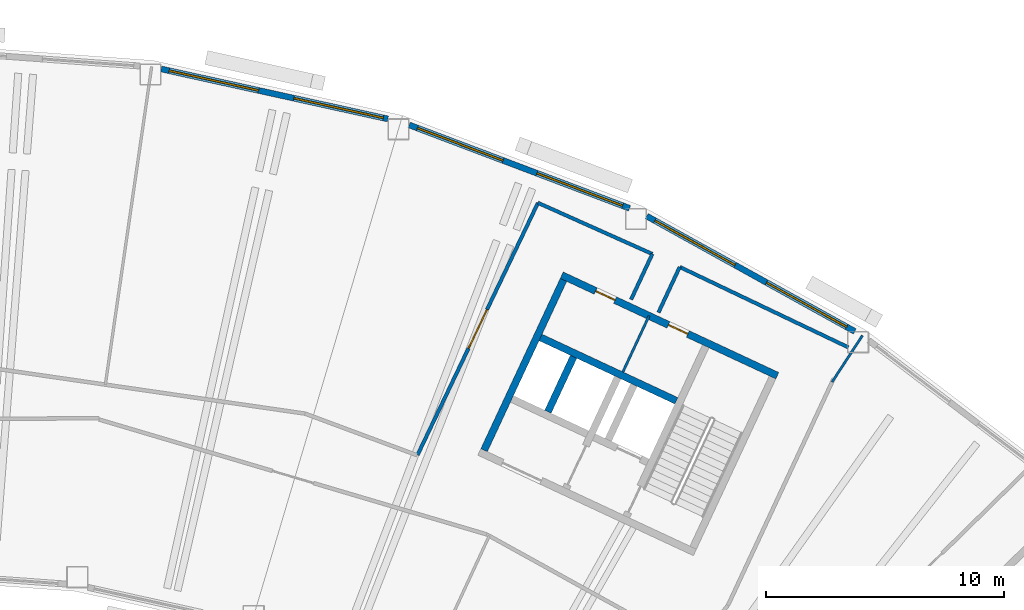
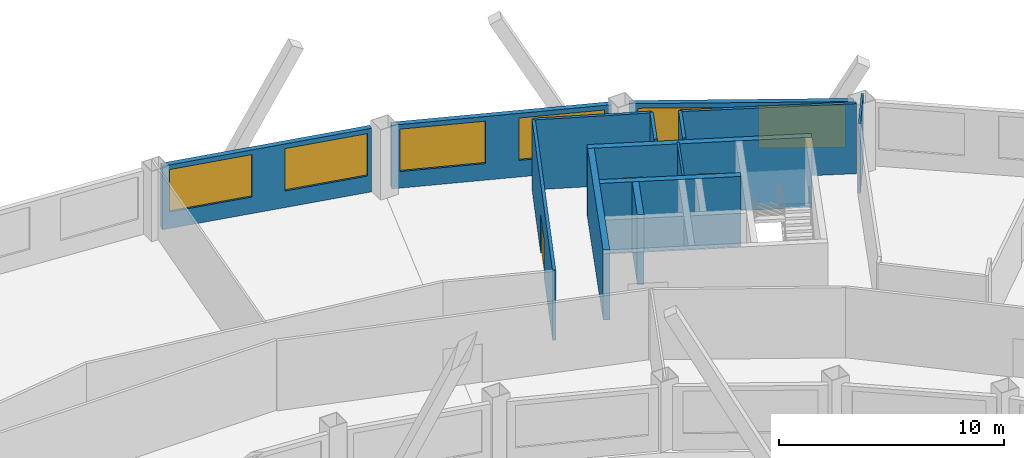
# One storey, part 9 of 12: 14 walls, 6 windows, 3 doors, 9 openings.
"""IFC4 building model written with IfcOpenShell, lengths in metres."""

from ifc_helpers import new_model, si_unit, direction, frame, frame_2d, origin, place, context, subcontext, project, spatial, rectangle, extrude, material, layer, layer_set, type_object, element, fill, save


model = new_model("IFC4")

# Units and contexts
model_context = context("Model", 3, precision=1e-05, world=origin(), true_north=direction((0.0, 1.0)))
body_context = subcontext(model_context, "Body", "Model", "MODEL_VIEW")
ifc_project = project(units=[si_unit("LENGTHUNIT", "METRE"), si_unit("AREAUNIT", "SQUARE_METRE"), si_unit("VOLUMEUNIT", "CUBIC_METRE"), si_unit("PLANEANGLEUNIT", "RADIAN"), si_unit("MASSUNIT", "GRAM", prefix="KILO")], contexts=[model_context])

# Site, building, storey
site_placement = place(None, origin())
site = spatial("IfcSite", under=ifc_project, at=site_placement, CompositionType="ELEMENT")
building_placement = place(site_placement, origin())
building = spatial("IfcBuilding", under=site, at=building_placement, Name="Tuul Gate Civic Tower", CompositionType="ELEMENT")
storey_placement = place(building_placement, frame((0.0, 0.0, 172.10009765625)))
storey = spatial("IfcBuildingStorey", under=building, at=storey_placement, Name="Level 39", CompositionType="ELEMENT", Elevation=172.10009765625)

# Wall
ifc_material_1 = material(Name="Concrete C50/60", Category="concrete")
ifc_layer_1 = layer(ifc_material_1, 0.300048828125)
ifc_layer_set_1 = layer_set([ifc_layer_1], Name="Concrete C50/60")
wall_type_1 = type_object("IfcWallType", Name="Core wall C50/60", PredefinedType="SHEAR", material=ifc_layer_set_1)
wall_1_placement = place(storey_placement, frame((33.75, -0.873779296875, 0.0), z_axis=(0.0, 0.0, 1.0), x_axis=(-0.906300917592, 0.422632992999, 0.0)))
element("IfcWall", 1, at=wall_1_placement, inside=storey, type_object=wall_type_1, Name="Core wall", PredefinedType="SHEAR", context=body_context, shape_type="SweptSolid", body=[
    extrude(rectangle(XDim=6.300048828125, YDim=0.300048828125, at=frame_2d((3.14990234375, 0.0))), origin(), (0.0, 0.0, 1.0), 3.7998046875),
])

# Wall, openings, doors
wall_2_placement = place(storey_placement, frame((37.993408203125, 0.181884765625, 0.0), z_axis=(0.0, 0.0, 1.0), x_axis=(-0.906310338845, 0.422612789327, 0.0)))
wall_2 = element("IfcWall", 2, at=wall_2_placement, inside=storey, type_object=wall_type_1, Name="Core wall", PredefinedType="SHEAR", context=body_context, shape_type="SweptSolid", body=[
    extrude(rectangle(XDim=9.999755859375, YDim=0.300048828125, at=frame_2d((5.0, 0.0))), origin(), (0.0, 0.0, 1.0), 3.7998046875),
])
opening_1_placement = place(wall_2_placement, frame((4.14990234375, 0.0, 0.0)))
opening_1 = element("IfcOpeningElement", 3, at=opening_1_placement, cuts=wall_2, Name="Opening N-D17", PredefinedType="OPENING", context=body_context, shape_type="SweptSolid", body=[
    extrude(rectangle(XDim=0.89990234375, YDim=2.10009765625, at=frame_2d((0.449951171875, 1.050048828125))), frame((0.0, 0.16015625, 0.0), z_axis=(0.0, -1.0, 0.0), x_axis=(1.0, 0.0, 0.0)), (0.0, 0.0, 1.0), 0.320068359375),
])
opening_2_placement = place(wall_2_placement, frame((7.52490234375, 0.0, 0.0)))
opening_2 = element("IfcOpeningElement", 4, at=opening_2_placement, cuts=wall_2, Name="Opening N-D18", PredefinedType="OPENING", context=body_context, shape_type="SweptSolid", body=[
    extrude(rectangle(XDim=0.89990234375, YDim=2.10009765625, at=frame_2d((0.449951171875, 1.050048828125))), frame((0.0, 0.16015625, 0.0), z_axis=(0.0, -1.0, 0.0), x_axis=(1.0, 0.0, 0.0)), (0.0, 0.0, 1.0), 0.320068359375),
])
ifc_material_2 = material(Name="Timber door leaf", Category="wood")
door_type_1 = type_object("IfcDoorType", Name="Door D09", OperationType="NOTDEFINED", PredefinedType="DOOR", material=ifc_material_2)
door_1_placement = place(opening_1_placement, origin())
door_1 = element("IfcDoor", 5, at=door_1_placement, inside=storey, type_object=door_type_1, Name="Door N-D17", OperationType="SINGLE_SWING_LEFT", OverallHeight=2.10009765625, OverallWidth=0.89990234375, PredefinedType="DOOR", context=body_context, shape_type="SweptSolid", body=[
    extrude(rectangle(XDim=0.89990234375, YDim=2.10009765625, at=frame_2d((0.449951171875, 1.050048828125))), frame((0.0, 0.02490234375, 0.0), z_axis=(0.0, -1.0, 0.0), x_axis=(1.0, 0.0, 0.0)), (0.0, 0.0, 1.0), 0.050048828125),
])
fill(opening_1, door_1)
door_2_placement = place(opening_2_placement, origin())
door_2 = element("IfcDoor", 6, at=door_2_placement, inside=storey, type_object=door_type_1, Name="Door N-D18", OperationType="SINGLE_SWING_RIGHT", OverallHeight=2.10009765625, OverallWidth=0.89990234375, PredefinedType="DOOR", context=body_context, shape_type="SweptSolid", body=[
    extrude(rectangle(XDim=0.89990234375, YDim=2.10009765625, at=frame_2d((0.449951171875, 1.050048828125))), frame((0.0, 0.02490234375, 0.0), z_axis=(0.0, -1.0, 0.0), x_axis=(1.0, 0.0, 0.0)), (0.0, 0.0, 1.0), 0.050048828125),
])
fill(opening_2, door_2)

# Walls
wall_3_placement = place(storey_placement, frame((28.349365234375, -1.33447265625, 0.0), z_axis=(0.0, 0.0, 1.0), x_axis=(0.422612891016, 0.906310291427, 0.0)))
element("IfcWall", 7, at=wall_3_placement, inside=storey, type_object=wall_type_1, Name="Core wall", PredefinedType="SHEAR", context=body_context, shape_type="SweptSolid", body=[
    extrude(rectangle(XDim=2.550048828125, YDim=0.300048828125, at=frame_2d((1.27490234375, 0.0))), origin(), (0.0, 0.0, 1.0), 3.7998046875),
])
wall_4_placement = place(storey_placement, frame((25.66455078125, -2.951416015625, 0.0), z_axis=(0.0, 0.0, 1.0), x_axis=(0.422582604137, 0.906324413596, 0.0)))
element("IfcWall", 8, at=wall_4_placement, inside=storey, type_object=wall_type_1, Name="Core wall", PredefinedType="SHEAR", context=body_context, shape_type="SweptSolid", body=[
    extrude(rectangle(XDim=7.89990234375, YDim=0.300048828125, at=frame_2d((3.949951171875, 0.0))), origin(), (0.0, 0.0, 1.0), 3.7998046875),
])
ifc_material_3 = material(Name="Gypsum board partition")
ifc_layer_2 = layer(ifc_material_3, 0.14990234375)
ifc_layer_set_2 = layer_set([ifc_layer_2], Name="Gypsum board partition")
wall_type_2 = type_object("IfcWallType", Name="Corridor wall P150", PredefinedType="PARTITIONING", material=ifc_layer_set_2)
wall_5_placement = place(storey_placement, frame((33.8916015625, 4.752685546875, 0.0), z_axis=(0.0, 0.0, 1.0), x_axis=(0.902625805937, -0.430426131243, 0.0)))
element("IfcWall", 9, at=wall_5_placement, inside=storey, type_object=wall_type_2, Name="p010", PredefinedType="PARTITIONING", context=body_context, shape_type="SweptSolid", body=[
    extrude(rectangle(XDim=7.84912109375, YDim=0.14990234375, at=frame_2d((3.924560546875, 0.0))), origin(), (0.0, 0.0, 1.0), 3.7998046875),
])
wall_6_placement = place(storey_placement, frame((33.0, 2.842041015625, 0.0), z_axis=(0.0, 0.0, 1.0), x_axis=(0.422631825542, 0.906301462008, 0.0)))
element("IfcWall", 10, at=wall_6_placement, inside=storey, type_object=wall_type_2, Name="p011", PredefinedType="PARTITIONING", context=body_context, shape_type="SweptSolid", body=[
    extrude(rectangle(XDim=2.10791015625, YDim=0.14990234375, at=frame_2d((1.053955078125, 0.0))), origin(), (0.0, 0.0, 1.0), 3.7998046875),
])
wall_7_placement = place(storey_placement, frame((31.84423828125, 3.381103515625, 0.0), z_axis=(0.0, 0.0, 1.0), x_axis=(0.422436792408, 0.90639238546, 0.0)))
element("IfcWall", 11, at=wall_7_placement, inside=storey, type_object=wall_type_2, Name="p012", PredefinedType="PARTITIONING", context=body_context, shape_type="SweptSolid", body=[
    extrude(rectangle(XDim=2.115234375, YDim=0.14990234375, at=frame_2d((1.0576171875, 0.0))), origin(), (0.0, 0.0, 1.0), 3.7998046875),
])
wall_8_placement = place(storey_placement, frame((27.93212890625, 7.44873046875, 0.0), z_axis=(0.0, 0.0, 1.0), x_axis=(0.912827805249, -0.408344704832, 0.0)))
element("IfcWall", 12, at=wall_8_placement, inside=storey, type_object=wall_type_2, Name="p013", PredefinedType="PARTITIONING", context=body_context, shape_type="SweptSolid", body=[
    extrude(rectangle(XDim=5.264404296875, YDim=0.14990234375, at=frame_2d((2.63232421875, 0.0))), origin(), (0.0, 0.0, 1.0), 3.7998046875),
])

# Wall, opening, door
wall_9_placement = place(storey_placement, frame((22.8671875, -3.15185546875, 0.0), z_axis=(0.0, 0.0, 1.0), x_axis=(0.431073076798, 0.902317018824, 0.0)))
wall_9 = element("IfcWall", 13, at=wall_9_placement, inside=storey, type_object=wall_type_2, Name="p014", PredefinedType="PARTITIONING", context=body_context, shape_type="SweptSolid", body=[
    extrude(rectangle(XDim=11.747802734375, YDim=0.14990234375, at=frame_2d((5.8740234375, 0.0))), origin(), (0.0, 0.0, 1.0), 3.7998046875),
])
opening_3_placement = place(wall_9_placement, frame((4.973876953125, 0.0, 0.0)))
opening_3 = element("IfcOpeningElement", 14, at=opening_3_placement, cuts=wall_9, Name="Opening N-D03", PredefinedType="OPENING", context=body_context, shape_type="SweptSolid", body=[
    extrude(rectangle(XDim=1.800048828125, YDim=2.10009765625, at=frame_2d((0.89990234375, 1.050048828125))), frame((0.0, 0.0849609375, 0.0), z_axis=(0.0, -1.0, 0.0), x_axis=(1.0, 0.0, 0.0)), (0.0, 0.0, 1.0), 0.169921875),
])
ifc_material_4 = material(Name="Timber door leaf, double", Category="wood")
door_type_2 = type_object("IfcDoorType", Name="Door D18", OperationType="DOUBLE_DOOR_SINGLE_SWING", PredefinedType="DOOR", material=ifc_material_4)
door_3_placement = place(opening_3_placement, origin())
door_3 = element("IfcDoor", 15, at=door_3_placement, inside=storey, type_object=door_type_2, Name="Door N-D03", OperationType="DOUBLE_DOOR_SINGLE_SWING", OverallHeight=2.10009765625, OverallWidth=1.800048828125, PredefinedType="DOOR", context=body_context, shape_type="SweptSolid", body=[
    extrude(rectangle(XDim=1.800048828125, YDim=2.10009765625, at=frame_2d((0.89990234375, 1.050048828125))), frame((0.0, 0.02490234375, 0.0), z_axis=(0.0, -1.0, 0.0), x_axis=(1.0, 0.0, 0.0)), (0.0, 0.0, 1.0), 0.050048828125),
])
fill(opening_3, door_3)

# Wall, openings, windows
ifc_material_5 = material(Name="Precast concrete C40/50", Category="concrete")
ifc_layer_3 = layer(ifc_material_5, 0.25)
ifc_layer_set_3 = layer_set([ifc_layer_3], Name="Precast concrete C40/50")
wall_type_3 = type_object("IfcWallType", Name="External wall", PredefinedType="STANDARD", material=ifc_layer_set_3)
wall_10_placement = place(storey_placement, frame((41.251220703125, 2.04296875, 0.0), z_axis=(0.0, 0.0, 1.0), x_axis=(-0.874633566806, 0.484784615903, 0.0)))
wall_10 = element("IfcWall", 16, at=wall_10_placement, inside=storey, type_object=wall_type_3, Name="External wall", PredefinedType="STANDARD", context=body_context, shape_type="SweptSolid", body=[
    extrude(rectangle(XDim=10.001220703125, YDim=0.25, at=frame_2d((5.00048828125, 0.0))), origin(), (0.0, 0.0, 1.0), 3.449951171875),
])
opening_4_placement = place(wall_10_placement, frame((0.38671875, 0.0, 0.89990234375)))
opening_4 = element("IfcOpeningElement", 17, at=opening_4_placement, cuts=wall_10, Name="Opening W22", PredefinedType="OPENING", context=body_context, shape_type="SweptSolid", body=[
    extrude(rectangle(XDim=3.85009765625, YDim=2.300048828125, at=frame_2d((1.925048828125, 1.14990234375))), frame((0.0, 0.135009765625, 0.0), z_axis=(0.0, -1.0, 0.0), x_axis=(1.0, 0.0, 0.0)), (0.0, 0.0, 1.0), 0.27001953125),
])
opening_5_placement = place(wall_10_placement, frame((5.758056640625, 0.0, 0.89990234375)))
opening_5 = element("IfcOpeningElement", 18, at=opening_5_placement, cuts=wall_10, Name="Opening W22", PredefinedType="OPENING", context=body_context, shape_type="SweptSolid", body=[
    extrude(rectangle(XDim=3.85009765625, YDim=2.300048828125, at=frame_2d((1.925048828125, 1.14990234375))), frame((0.0, 0.135009765625, 0.0), z_axis=(0.0, -1.0, 0.0), x_axis=(1.0, 0.0, 0.0)), (0.0, 0.0, 1.0), 0.27001953125),
])
ifc_material_6 = material(Name="Glass", Category="glass")
window_type = type_object("IfcWindowType", Name="Window W22 3850 x 2300", PartitioningType="SINGLE_PANEL", PredefinedType="WINDOW", material=ifc_material_6)
window_1_placement = place(opening_4_placement, origin())
window_1 = element("IfcWindow", 19, at=window_1_placement, inside=storey, type_object=window_type, Name="Window", OverallHeight=2.300048828125, OverallWidth=3.85009765625, PartitioningType="SINGLE_PANEL", PredefinedType="WINDOW", context=body_context, shape_type="SweptSolid", body=[
    extrude(rectangle(XDim=3.85009765625, YDim=2.300048828125, at=frame_2d((1.925048828125, 1.14990234375))), frame((0.0, 0.030029296875, 0.0), z_axis=(0.0, -1.0, 0.0), x_axis=(1.0, 0.0, 0.0)), (0.0, 0.0, 1.0), 0.06005859375),
])
fill(opening_4, window_1)
window_2_placement = place(opening_5_placement, origin())
window_2 = element("IfcWindow", 20, at=window_2_placement, inside=storey, type_object=window_type, Name="Window", OverallHeight=2.300048828125, OverallWidth=3.85009765625, PartitioningType="SINGLE_PANEL", PredefinedType="WINDOW", context=body_context, shape_type="SweptSolid", body=[
    extrude(rectangle(XDim=3.85009765625, YDim=2.300048828125, at=frame_2d((1.925048828125, 1.14990234375))), frame((0.0, 0.030029296875, 0.0), z_axis=(0.0, -1.0, 0.0), x_axis=(1.0, 0.0, 0.0)), (0.0, 0.0, 1.0), 0.06005859375),
])
fill(opening_5, window_2)

wall_11_placement = place(storey_placement, frame((31.78125, 7.219970703125, 0.0), z_axis=(0.0, 0.0, 1.0), x_axis=(-0.935342915264, 0.353742322694, 0.0)))
wall_11 = element("IfcWall", 21, at=wall_11_placement, inside=storey, type_object=wall_type_3, Name="External wall", PredefinedType="STANDARD", context=body_context, shape_type="SweptSolid", body=[
    extrude(rectangle(XDim=9.904541015625, YDim=0.25, at=frame_2d((4.9521484375, 0.0))), origin(), (0.0, 0.0, 1.0), 3.449951171875),
])
opening_6_placement = place(wall_11_placement, frame((0.314208984375, 0.0, 0.89990234375)))
opening_6 = element("IfcOpeningElement", 22, at=opening_6_placement, cuts=wall_11, Name="Opening W22", PredefinedType="OPENING", context=body_context, shape_type="SweptSolid", body=[
    extrude(rectangle(XDim=3.85009765625, YDim=2.300048828125, at=frame_2d((1.925048828125, 1.14990234375))), frame((0.0, 0.135009765625, 0.0), z_axis=(0.0, -1.0, 0.0), x_axis=(1.0, 0.0, 0.0)), (0.0, 0.0, 1.0), 0.27001953125),
])
opening_7_placement = place(wall_11_placement, frame((5.685546875, 0.0, 0.89990234375)))
opening_7 = element("IfcOpeningElement", 23, at=opening_7_placement, cuts=wall_11, Name="Opening W22", PredefinedType="OPENING", context=body_context, shape_type="SweptSolid", body=[
    extrude(rectangle(XDim=3.85009765625, YDim=2.300048828125, at=frame_2d((1.925048828125, 1.14990234375))), frame((0.0, 0.135009765625, 0.0), z_axis=(0.0, -1.0, 0.0), x_axis=(1.0, 0.0, 0.0)), (0.0, 0.0, 1.0), 0.27001953125),
])
window_3_placement = place(opening_6_placement, origin())
window_3 = element("IfcWindow", 24, at=window_3_placement, inside=storey, type_object=window_type, Name="Window", OverallHeight=2.300048828125, OverallWidth=3.85009765625, PartitioningType="SINGLE_PANEL", PredefinedType="WINDOW", context=body_context, shape_type="SweptSolid", body=[
    extrude(rectangle(XDim=3.85009765625, YDim=2.300048828125, at=frame_2d((1.925048828125, 1.14990234375))), frame((0.0, 0.030029296875, 0.0), z_axis=(0.0, -1.0, 0.0), x_axis=(1.0, 0.0, 0.0)), (0.0, 0.0, 1.0), 0.06005859375),
])
fill(opening_6, window_3)
window_4_placement = place(opening_7_placement, origin())
window_4 = element("IfcWindow", 25, at=window_4_placement, inside=storey, type_object=window_type, Name="Window", OverallHeight=2.300048828125, OverallWidth=3.85009765625, PartitioningType="SINGLE_PANEL", PredefinedType="WINDOW", context=body_context, shape_type="SweptSolid", body=[
    extrude(rectangle(XDim=3.85009765625, YDim=2.300048828125, at=frame_2d((1.925048828125, 1.14990234375))), frame((0.0, 0.030029296875, 0.0), z_axis=(0.0, -1.0, 0.0), x_axis=(1.0, 0.0, 0.0)), (0.0, 0.0, 1.0), 0.06005859375),
])
fill(opening_7, window_4)

wall_12_placement = place(storey_placement, frame((21.616943359375, 10.978271484375, 0.0), z_axis=(0.0, 0.0, 1.0), x_axis=(-0.976564163257, 0.215226473842, 0.0)))
wall_12 = element("IfcWall", 26, at=wall_12_placement, inside=storey, type_object=wall_type_3, Name="External wall", PredefinedType="STANDARD", context=body_context, shape_type="SweptSolid", body=[
    extrude(rectangle(XDim=9.756591796875, YDim=0.25, at=frame_2d((4.87841796875, 0.0))), origin(), (0.0, 0.0, 1.0), 3.449951171875),
])
opening_8_placement = place(wall_12_placement, frame((0.1962890625, 0.0, 0.89990234375)))
opening_8 = element("IfcOpeningElement", 27, at=opening_8_placement, cuts=wall_12, Name="Opening W22", PredefinedType="OPENING", context=body_context, shape_type="SweptSolid", body=[
    extrude(rectangle(XDim=3.85009765625, YDim=2.300048828125, at=frame_2d((1.925048828125, 1.14990234375))), frame((0.0, 0.135009765625, 0.0), z_axis=(0.0, -1.0, 0.0), x_axis=(1.0, 0.0, 0.0)), (0.0, 0.0, 1.0), 0.27001953125),
])
opening_9_placement = place(wall_12_placement, frame((5.567626953125, 0.0, 0.89990234375)))
opening_9 = element("IfcOpeningElement", 28, at=opening_9_placement, cuts=wall_12, Name="Opening W22", PredefinedType="OPENING", context=body_context, shape_type="SweptSolid", body=[
    extrude(rectangle(XDim=3.85009765625, YDim=2.300048828125, at=frame_2d((1.925048828125, 1.14990234375))), frame((0.0, 0.135009765625, 0.0), z_axis=(0.0, -1.0, 0.0), x_axis=(1.0, 0.0, 0.0)), (0.0, 0.0, 1.0), 0.27001953125),
])
window_5_placement = place(opening_8_placement, origin())
window_5 = element("IfcWindow", 29, at=window_5_placement, inside=storey, type_object=window_type, Name="Window", OverallHeight=2.300048828125, OverallWidth=3.85009765625, PartitioningType="SINGLE_PANEL", PredefinedType="WINDOW", context=body_context, shape_type="SweptSolid", body=[
    extrude(rectangle(XDim=3.85009765625, YDim=2.300048828125, at=frame_2d((1.925048828125, 1.14990234375))), frame((0.0, 0.030029296875, 0.0), z_axis=(0.0, -1.0, 0.0), x_axis=(1.0, 0.0, 0.0)), (0.0, 0.0, 1.0), 0.06005859375),
])
fill(opening_8, window_5)
window_6_placement = place(opening_9_placement, origin())
window_6 = element("IfcWindow", 30, at=window_6_placement, inside=storey, type_object=window_type, Name="Window", OverallHeight=2.300048828125, OverallWidth=3.85009765625, PartitioningType="SINGLE_PANEL", PredefinedType="WINDOW", context=body_context, shape_type="SweptSolid", body=[
    extrude(rectangle(XDim=3.85009765625, YDim=2.300048828125, at=frame_2d((1.925048828125, 1.14990234375))), frame((0.0, 0.030029296875, 0.0), z_axis=(0.0, -1.0, 0.0), x_axis=(1.0, 0.0, 0.0)), (0.0, 0.0, 1.0), 0.06005859375),
])
fill(opening_9, window_6)

# Walls
ifc_material_7 = material(Name="Gypsum board partition")
ifc_layer_4 = layer(ifc_material_7, 0.10009765625)
ifc_layer_set_4 = layer_set([ifc_layer_4], Name="Gypsum board partition")
wall_type_4 = type_object("IfcWallType", Name="Partition P100", PredefinedType="PARTITIONING", material=ifc_layer_set_4)
wall_13_placement = place(storey_placement, frame((40.29638671875, -0.08544921875, 0.0), z_axis=(0.0, 0.0, 1.0), x_axis=(0.546714122434, 0.837319334741, 0.0)))
element("IfcWall", 31, at=wall_13_placement, inside=storey, type_object=wall_type_4, Name="p004", PredefinedType="PARTITIONING", context=body_context, shape_type="SweptSolid", body=[
    extrude(rectangle(XDim=2.33544921875, YDim=0.10009765625, at=frame_2d((1.167724609375, 0.0))), origin(), (0.0, 0.0, 1.0), 3.7998046875),
])
wall_14_placement = place(storey_placement, frame((31.502197265625, 0.33984375, 0.0), z_axis=(0.0, 0.0, 1.0), x_axis=(0.422556439746, 0.906336612539, 0.0)))
element("IfcWall", 32, at=wall_14_placement, inside=storey, type_object=wall_type_4, Name="bE3-BAND-0", PredefinedType="PARTITIONING", context=body_context, shape_type="SweptSolid", body=[
    extrude(rectangle(XDim=2.599853515625, YDim=0.10009765625, at=frame_2d((1.2998046875, 0.0))), origin(), (0.0, 0.0, 1.0), 3.7998046875),
])

save(model, "model.ifc")
